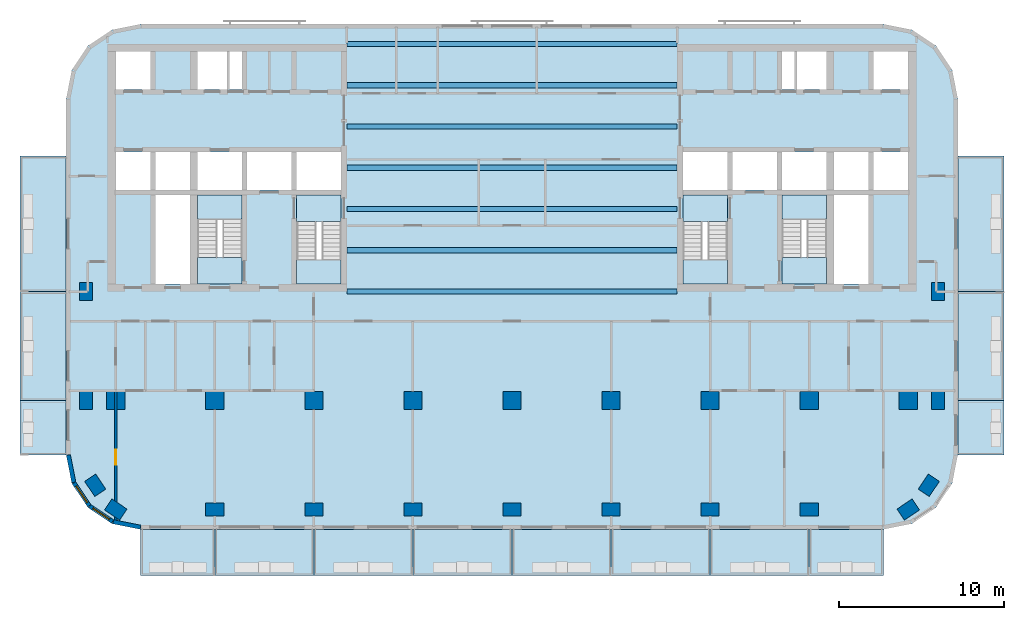
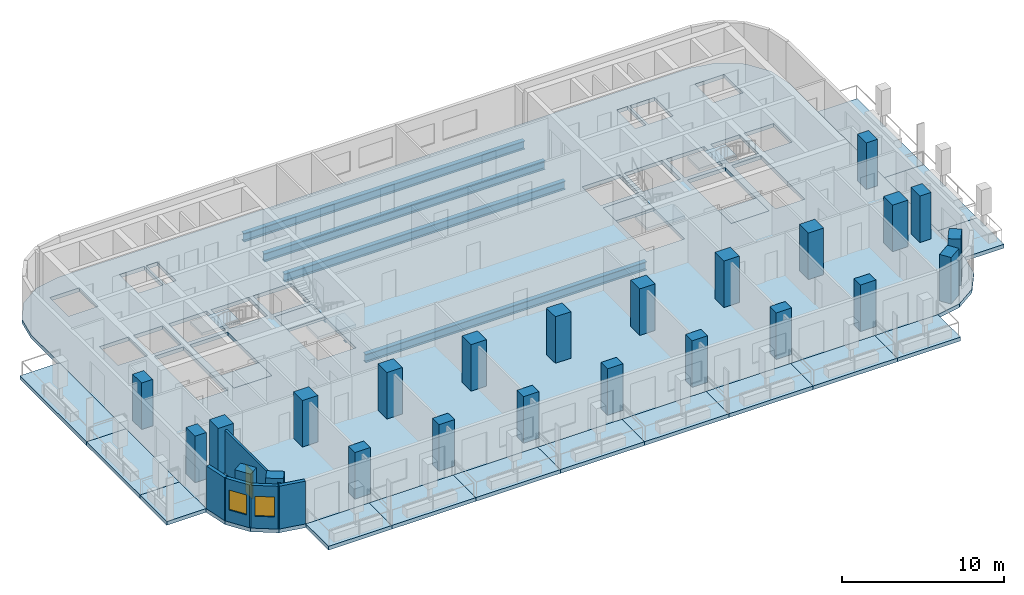
# One storey, part 1 of 11: 24 columns, 23 slabs, 7 beams, 5 walls, 2 windows, 1 door, 3 openings, 4 elements without a shape of their own.
"""IFC4 building model written with IfcOpenShell, lengths in metres."""

import ifcopenshell
import ifcopenshell.guid

model = None  # the IFC model being written
_history = None  # IfcOwnerHistory: only IFC2X3 demands one
_inside = {}  # id of a spatial element -> (the spatial element, [elements in it])
_under = {}  # id of a project, library or spatial element -> (it, [spatial elements below it])
_declared = {}  # id of a project -> (the project, [libraries it declares])
_typed = {}  # id of a type object -> (the type object, [elements of that type])
_made_of = {}  # id of a material, layer set ... -> (it, [elements and type objects made of it])


def new_model(schema):
    """Start an empty IFC model of exactly this schema.

    Asked for "IFC4X3", IfcOpenShell would pick the latest addendum, in which some entities
    have other attributes; the version numbers below select the first issue.
    IFC2X3 requires an IfcOwnerHistory on every rooted entity: one is made here for all.
    """
    global model, _history
    if schema == "IFC4X3":
        model = ifcopenshell.file(schema_version=(4, 3, 0, 0))
    else:
        model = ifcopenshell.file(schema=schema)
    _inside.clear()
    _under.clear()
    _declared.clear()
    _typed.clear()
    _made_of.clear()
    _history = None
    if model.schema == "IFC2X3":
        org = make("IfcOrganization", Name="unknown")
        user = make(
            "IfcPersonAndOrganization",
            ThePerson=make("IfcPerson", FamilyName="unknown"),
            TheOrganization=org,
        )
        app = make(
            "IfcApplication",
            ApplicationDeveloper=org,
            Version="unknown",
            ApplicationFullName="unknown",
            ApplicationIdentifier="unknown",
        )
        _history = make(
            "IfcOwnerHistory",
            OwningUser=user,
            OwningApplication=app,
            ChangeAction="ADDED",
            CreationDate=0,
        )
    return model


def make(cls, **values):
    """One entity of the class cls with the attributes given. An attribute that is None is left unset."""
    return model.create_entity(
        cls, **{name: value for name, value in values.items() if value is not None}
    )


def rooted(cls, **values):
    """An entity with a GlobalId (a new one), such as an element, a storey or a relation."""
    return make(cls, GlobalId=ifcopenshell.guid.new(), OwnerHistory=_history, **values)


def si_unit(unit_type, name, prefix=None):
    """IfcSIUnit, for example si_unit("LENGTHUNIT", "METRE", prefix="MILLI")."""
    return make("IfcSIUnit", UnitType=unit_type, Prefix=prefix, Name=name)


def assignment(units):
    """IfcUnitAssignment: the units of a project."""
    return None if units is None else make("IfcUnitAssignment", Units=units)


def point(xyz):
    """IfcCartesianPoint."""
    return None if xyz is None else make("IfcCartesianPoint", Coordinates=xyz)


def direction(xyz):
    """IfcDirection."""
    return None if xyz is None else make("IfcDirection", DirectionRatios=xyz)


def frame(location, z_axis=None, x_axis=None):
    """IfcAxis2Placement3D, a coordinate frame: its origin and axes. An axis left out is left unset."""
    return make(
        "IfcAxis2Placement3D",
        Location=point(location),
        Axis=direction(z_axis),
        RefDirection=direction(x_axis),
    )


def frame_2d(location, x_axis=None):
    """IfcAxis2Placement2D, a coordinate frame in the plane: its origin and x axis."""
    return make(
        "IfcAxis2Placement2D", Location=point(location), RefDirection=direction(x_axis)
    )


def origin():
    """The frame at (0, 0, 0) with its axes left unset."""
    return frame((0.0, 0.0, 0.0))


def origin_2d():
    """The frame at (0, 0) in the plane with its x axis left unset."""
    return frame_2d((0.0, 0.0))


def place(relative_to, where):
    """IfcLocalPlacement: puts the frame where relative to a parent placement (None: the world)."""
    return make(
        "IfcLocalPlacement", PlacementRelTo=relative_to, RelativePlacement=where
    )


def context(
    kind, dimensions, precision=None, world=None, true_north=None, identifier=None
):
    """IfcGeometricRepresentationContext, for example the 3D "Model" context."""
    return make(
        "IfcGeometricRepresentationContext",
        ContextIdentifier=identifier,
        ContextType=kind,
        CoordinateSpaceDimension=dimensions,
        Precision=precision,
        WorldCoordinateSystem=world,
        TrueNorth=true_north,
    )


def subcontext(parent, identifier, kind, view, scale=None):
    """IfcGeometricRepresentationSubContext, for example "Body" below "Model"."""
    return make(
        "IfcGeometricRepresentationSubContext",
        ContextIdentifier=identifier,
        ContextType=kind,
        ParentContext=parent,
        TargetScale=scale,
        TargetView=view,
    )


def project(units=None, contexts=None):
    """IfcProject with its units and contexts."""
    return rooted(
        "IfcProject",
        Name="project",
        RepresentationContexts=contexts,
        UnitsInContext=assignment(units),
    )


def spatial(cls, under=None, at=None, **own):
    """A site, building, storey or space (cls), placed at a placement, below another one or the project."""
    s = rooted(cls, ObjectPlacement=at, **own)
    if under is not None:
        _under.setdefault(under.id(), (under, []))[1].append(s)
    return s


def polyline(points):
    """IfcPolyline through the points."""
    return make("IfcPolyline", Points=[point(p) for p in points])


def profile(cls, at=None, kind="AREA", **sizes):
    """A parametric profile (cls). Its sizes go by their IFC names, for example OverallWidth=200.0."""
    return make(cls, ProfileType=kind, Position=at, **sizes)


def rectangle(**sizes):
    """IfcRectangleProfileDef."""
    return profile("IfcRectangleProfileDef", **sizes)


def i_section(**sizes):
    """IfcIShapeProfileDef."""
    return profile("IfcIShapeProfileDef", **sizes)


def outline(outer, holes=None, kind="AREA"):
    """IfcArbitraryClosedProfileDef: a profile drawn as a closed curve; with holes, ...WithVoids."""
    if holes is None:
        return make("IfcArbitraryClosedProfileDef", ProfileType=kind, OuterCurve=outer)
    return make(
        "IfcArbitraryProfileDefWithVoids",
        ProfileType=kind,
        OuterCurve=outer,
        InnerCurves=holes,
    )


def extrude(swept, where, along, depth):
    """IfcExtrudedAreaSolid: the profile swept, set in the frame where, extruded along a direction by depth."""
    return make(
        "IfcExtrudedAreaSolid",
        SweptArea=swept,
        Position=where,
        ExtrudedDirection=direction(along),
        Depth=depth,
    )


def shape(context_of_items, identifier, shape_type, items):
    """IfcShapeRepresentation: the items that make up one representation, for example the "Body"."""
    return make(
        "IfcShapeRepresentation",
        ContextOfItems=context_of_items,
        RepresentationIdentifier=identifier,
        RepresentationType=shape_type,
        Items=items,
    )


def material(Name=None, Category=None):
    """IfcMaterial."""
    return make("IfcMaterial", Name=Name, Category=Category)


def layer(
    of_material, thickness, ventilated=None, Name=None, Category=None, Priority=None
):
    """IfcMaterialLayer: one layer of a wall or slab, of a material (None: an air gap)."""
    return make(
        "IfcMaterialLayer",
        Material=of_material,
        LayerThickness=thickness,
        IsVentilated=ventilated,
        Name=Name,
        Category=Category,
        Priority=Priority,
    )


def layer_set(layers, Name=None):
    """IfcMaterialLayerSet."""
    return make("IfcMaterialLayerSet", MaterialLayers=layers, LayerSetName=Name)


def material_profile(
    of_material, cross_section, Name=None, Category=None, Priority=None
):
    """IfcMaterialProfile: a cross section and its material."""
    return make(
        "IfcMaterialProfile",
        Name=Name,
        Material=of_material,
        Profile=cross_section,
        Priority=Priority,
        Category=Category,
    )


def profile_set(profiles, Name=None, composite=None):
    """IfcMaterialProfileSet."""
    return make(
        "IfcMaterialProfileSet",
        Name=Name,
        MaterialProfiles=profiles,
        CompositeProfile=composite,
    )


def made_of(thing, what):
    """Note that an element or type object is made of a material, layer set ...; save() writes the relation."""
    if what is not None:
        _made_of.setdefault(what.id(), (what, []))[1].append(thing)
    return thing


def type_object(cls, material=None, **own):
    """A type object (cls), such as IfcWallType, which elements share."""
    return made_of(rooted(cls, **own), material)


def element(
    cls,
    number,
    at=None,
    inside=None,
    cuts=None,
    type_object=None,
    material=None,
    context=None,
    identifier="Body",
    shape_type=None,
    held_by="IfcProductDefinitionShape",
    body=None,
    shapes=None,
    **own,
):
    """One element of the class cls, such as IfcWall. Its Tag is "e" and its number.

    at: its placement. inside: the storey or other place that contains it. cuts: it is an
    opening in that element (IfcRelVoidsElement). A single representation is given by context,
    identifier, shape_type and body (its items); several are given by shapes. held_by: the class
    of the entity that holds the representations. save() writes the other relations.
    """
    e = rooted(cls, Tag="e%d" % number, ObjectPlacement=at, **own)
    if body is not None:
        shapes = [shape(context, identifier, shape_type, body)]
    if shapes is not None:
        e.Representation = make(held_by, Representations=shapes)
    if inside is not None:
        _inside.setdefault(inside.id(), (inside, []))[1].append(e)
    if cuts is not None:
        rooted(
            "IfcRelVoidsElement", RelatingBuildingElement=cuts, RelatedOpeningElement=e
        )
    if type_object is not None:
        _typed.setdefault(type_object.id(), (type_object, []))[1].append(e)
    return made_of(e, material)


def fill(opening, filler):
    """IfcRelFillsElement: the door or window that sits in an opening."""
    return rooted(
        "IfcRelFillsElement",
        RelatingOpeningElement=opening,
        RelatedBuildingElement=filler,
    )


def aggregate(whole, parts):
    """IfcRelAggregates: a whole, such as a stair, and the parts it consists of."""
    return rooted("IfcRelAggregates", RelatingObject=whole, RelatedObjects=parts)


def save(model, path):
    """Write the relations noted so far, then the file.

    IfcRelAggregates (storeys below a building ...), IfcRelContainedInSpatialStructure (elements
    in a storey), IfcRelDefinesByType, IfcRelAssociatesMaterial and IfcRelDeclares: one each for
    every whole, place, type object, material and project.
    """
    for whole, parts in _under.values():
        aggregate(whole, parts)
    for where, things in _inside.values():
        rooted(
            "IfcRelContainedInSpatialStructure",
            RelatedElements=things,
            RelatingStructure=where,
        )
    for kind, things in _typed.values():
        rooted("IfcRelDefinesByType", RelatedObjects=things, RelatingType=kind)
    for what, things in _made_of.values():
        rooted("IfcRelAssociatesMaterial", RelatedObjects=things, RelatingMaterial=what)
    for by, libraries in _declared.values():
        rooted("IfcRelDeclares", RelatingContext=by, RelatedDefinitions=libraries)
    model.write(path)


model = new_model("IFC4")

# Units and contexts
model_context = context("Model", 3, precision=1e-05, world=origin(), true_north=direction((0.0, 1.0)))
body_context = subcontext(model_context, "Body", "Model", "MODEL_VIEW")
ifc_project = project(units=[si_unit("LENGTHUNIT", "METRE"), si_unit("AREAUNIT", "SQUARE_METRE"), si_unit("VOLUMEUNIT", "CUBIC_METRE"), si_unit("PLANEANGLEUNIT", "RADIAN"), si_unit("MASSUNIT", "GRAM", prefix="KILO")], contexts=[model_context])

# Site, building, storey
site_placement = place(None, origin())
site = spatial("IfcSite", under=ifc_project, at=site_placement, CompositionType="ELEMENT")
building_placement = place(site_placement, origin())
building = spatial("IfcBuilding", under=site, at=building_placement, Name="Torana Hotel and Residences", CompositionType="ELEMENT")
storey_placement = place(building_placement, frame((0.0, 0.0, 215.10009765625)))
storey = spatial("IfcBuildingStorey", under=building, at=storey_placement, Name="L56", CompositionType="ELEMENT", Elevation=215.10009765625)

# Columns
ifc_material_1 = material(Name="Concrete C60/75", Category="concrete")
ifc_material_profile_1 = material_profile(ifc_material_1, rectangle(XDim=1.10009765625, YDim=1.10009765625, at=origin_2d()), Name="RC 1100x1100")
ifc_profile_set_1 = profile_set([ifc_material_profile_1], Name="Concrete C60/75")
column_type_1 = type_object("IfcColumnType", Name="COLUMN RC 1100x1100 C60/75", PredefinedType="COLUMN", material=ifc_profile_set_1)
for number, where, z_axis, x_axis, name in (
    (1, (-24.0, -21.60009765625, 0.0), (0.0, 0.0, 1.0), (1.0, 0.0, 0.0), "Column L56"),
    (2, (-18.0, -21.60009765625, 0.0), (0.0, 0.0, 1.0), (1.0, 0.0, 0.0), "Column L56"),
    (3, (-12.0, -21.60009765625, 0.0), (0.0, 0.0, 1.0), (1.0, 0.0, 0.0), "Column L56"),
    (4, (-6.0, -21.60009765625, 0.0), (0.0, 0.0, 1.0), (1.0, 0.0, 0.0), "Column L56"),
    (5, (0.0, -21.60009765625, 0.0), (0.0, 0.0, 1.0), (1.0, 0.0, 0.0), "Column L56"),
    (6, (6.0, -21.60009765625, 0.0), (0.0, 0.0, 1.0), (1.0, 0.0, 0.0), "Column L56"),
    (7, (12.0, -21.60009765625, 0.0), (0.0, 0.0, 1.0), (1.0, 0.0, 0.0), "Column L56"),
    (8, (18.0, -21.60009765625, 0.0), (0.0, 0.0, 1.0), (1.0, 0.0, 0.0), "Column L56"),
    (9, (24.0, -21.60009765625, 0.0), (0.0, 0.0, 1.0), (1.0, 0.0, 0.0), "Column L56"),
):
    element("IfcColumn", number, at=place(storey_placement, frame(where, z_axis=z_axis, x_axis=x_axis)), inside=storey, type_object=column_type_1, Name=name, PredefinedType="COLUMN", context=body_context, shape_type="SweptSolid", body=[
        extrude(rectangle(XDim=1.10009765625, YDim=1.10009765625, at=origin_2d()), origin(), (0.0, 0.0, 1.0), 3.5),
    ])
ifc_material_2 = material(Name="Concrete C60/75", Category="concrete")
ifc_material_profile_2 = material_profile(ifc_material_2, rectangle(XDim=1.10009765625, YDim=0.800048828125, at=origin_2d()), Name="RC 1100x800")
ifc_profile_set_2 = profile_set([ifc_material_profile_2], Name="Concrete C60/75")
column_type_2 = type_object("IfcColumnType", Name="COLUMN RC 1100x800 C60/75", PredefinedType="COLUMN", material=ifc_profile_set_2)
for number, where, z_axis, x_axis, name in (
    (10, (-25.800048828125, -21.60009765625, 0.0), (0.0, 0.0, 1.0), (0.0, 1.0, 0.0), "Column L56"),
    (11, (-25.800048828125, -15.0, 0.0), (0.0, 0.0, 1.0), (0.0, 1.0, 0.0), "Column L56"),
    (12, (-25.243896484375, -26.73291015625, 0.0), (0.0, 0.0, 1.0), (-0.555584744817, 0.831459915646, 0.0), "Column L56"),
    (13, (-24.0, -28.199951171875, 0.0), (0.0, 0.0, 1.0), (-0.831459915646, 0.555584744817, 0.0), "Column L56"),
    (14, (-18.0, -28.199951171875, 0.0), (0.0, 0.0, 1.0), (1.0, 0.0, 0.0), "Column L56"),
    (15, (-12.0, -28.199951171875, 0.0), (0.0, 0.0, 1.0), (1.0, 0.0, 0.0), "Column L56"),
    (16, (-6.0, -28.199951171875, 0.0), (0.0, 0.0, 1.0), (1.0, 0.0, 0.0), "Column L56"),
    (17, (0.0, -28.199951171875, 0.0), (0.0, 0.0, 1.0), (1.0, 0.0, 0.0), "Column L56"),
    (18, (6.0, -28.199951171875, 0.0), (0.0, 0.0, 1.0), (1.0, 0.0, 0.0), "Column L56"),
    (19, (12.0, -28.199951171875, 0.0), (0.0, 0.0, 1.0), (1.0, 0.0, 0.0), "Column L56"),
    (20, (18.0, -28.199951171875, 0.0), (0.0, 0.0, 1.0), (1.0, 0.0, 0.0), "Column L56"),
    (21, (24.0, -28.199951171875, 0.0), (0.0, 0.0, 1.0), (0.831459915646, 0.555584744817, 0.0), "Column L56"),
    (22, (25.243896484375, -26.73291015625, 0.0), (0.0, 0.0, 1.0), (0.555584744817, 0.831459915646, 0.0), "Column L56"),
    (23, (25.800048828125, -21.60009765625, 0.0), (0.0, 0.0, 1.0), (0.0, 1.0, 0.0), "Column L56"),
    (24, (25.800048828125, -15.0, 0.0), (0.0, 0.0, 1.0), (0.0, 1.0, 0.0), "Column L56"),
):
    element("IfcColumn", number, at=place(storey_placement, frame(where, z_axis=z_axis, x_axis=x_axis)), inside=storey, type_object=column_type_2, Name=name, PredefinedType="COLUMN", context=body_context, shape_type="SweptSolid", body=[
        extrude(rectangle(XDim=1.10009765625, YDim=0.800048828125, at=origin_2d()), origin(), (0.0, 0.0, 1.0), 3.5),
    ])

# Beams
ifc_material_3 = material(Name="Steel S355", Category="steel")
ifc_material_profile_3 = material_profile(ifc_material_3, i_section(OverallWidth=0.311279296875, OverallDepth=0.6357421875, WebThickness=0.018310546875, FlangeThickness=0.031494140625, FilletRadius=0.0166015625, at=origin_2d()), Name="610x305x238 UB")
ifc_profile_set_3 = profile_set([ifc_material_profile_3], Name="Steel S355")
beam_type = type_object("IfcBeamType", Name="STEEL GIRDER 610x305x238 UB", PredefinedType="BEAM", material=ifc_profile_set_3)
for number, where, z_axis, x_axis, name in (
    (25, (-10.0, -15.0, -0.597900390625), (1.0, 0.0, 0.0), (0.0, 1.0, 0.0), "Floor girder"),
    (26, (-10.0, -12.5, -0.597900390625), (1.0, 0.0, 0.0), (0.0, 1.0, 0.0), "Floor girder"),
    (27, (-10.0, -10.0, -0.597900390625), (1.0, 0.0, 0.0), (0.0, 1.0, 0.0), "Floor girder"),
    (28, (-10.0, -7.5, -0.597900390625), (1.0, 0.0, 0.0), (0.0, 1.0, 0.0), "Floor girder"),
    (29, (-10.0, -5.0, -0.597900390625), (1.0, 0.0, 0.0), (0.0, 1.0, 0.0), "Floor girder"),
    (30, (-10.0, -2.5, -0.597900390625), (1.0, 0.0, 0.0), (0.0, 1.0, 0.0), "Floor girder"),
    (31, (-10.0, 0.0, -0.597900390625), (1.0, 0.0, 0.0), (0.0, 1.0, 0.0), "Floor girder"),
):
    element("IfcBeam", number, at=place(storey_placement, frame(where, z_axis=z_axis, x_axis=x_axis)), inside=storey, type_object=beam_type, Name=name, PredefinedType="BEAM", context=body_context, shape_type="SweptSolid", body=[
        extrude(i_section(OverallWidth=0.311279296875, OverallDepth=0.6357421875, WebThickness=0.018310546875, FlangeThickness=0.031494140625, FilletRadius=0.0166015625, at=origin_2d()), origin(), (0.0, 0.0, 1.0), 20.0),
    ])

# Slabs
ifc_material_4 = material(Name="Concrete C40/50", Category="concrete")
ifc_layer_1 = layer(ifc_material_4, 0.280029296875)
ifc_layer_set_1 = layer_set([ifc_layer_1], Name="BAL1 BALCONY SLAB 280")
slab_type_1 = type_object("IfcSlabType", Name="BAL1 BALCONY SLAB 280", PredefinedType="USERDEFINED", material=ifc_layer_set_1)
slab_1_placement = place(storey_placement, frame((0.0, 0.0, -0.280029296875)))
element("IfcSlab", 32, at=slab_1_placement, inside=storey, type_object=slab_type_1, Name="Balcony 01", ObjectType="BALCONY", PredefinedType="USERDEFINED", context=body_context, shape_type="SweptSolid", body=[
    extrude(outline(polyline([(-22.5, -32.199951171875), (-18.0, -32.199951171875), (-18.0, -29.39990234375), (-22.5, -29.39990234375), (-22.5, -32.199951171875)])), origin(), (0.0, 0.0, 1.0), 0.280029296875),
])
slab_2_placement = place(storey_placement, frame((0.0, 0.0, -0.280029296875)))
element("IfcSlab", 33, at=slab_2_placement, inside=storey, type_object=slab_type_1, Name="Balcony 02", ObjectType="BALCONY", PredefinedType="USERDEFINED", context=body_context, shape_type="SweptSolid", body=[
    extrude(outline(polyline([(-18.0, -32.199951171875), (-12.0, -32.199951171875), (-12.0, -29.39990234375), (-18.0, -29.39990234375), (-18.0, -32.199951171875)])), origin(), (0.0, 0.0, 1.0), 0.280029296875),
])
slab_3_placement = place(storey_placement, frame((0.0, 0.0, -0.280029296875)))
element("IfcSlab", 34, at=slab_3_placement, inside=storey, type_object=slab_type_1, Name="Balcony 03", ObjectType="BALCONY", PredefinedType="USERDEFINED", context=body_context, shape_type="SweptSolid", body=[
    extrude(outline(polyline([(-12.0, -32.199951171875), (-6.0, -32.199951171875), (-6.0, -29.39990234375), (-12.0, -29.39990234375), (-12.0, -32.199951171875)])), origin(), (0.0, 0.0, 1.0), 0.280029296875),
])
slab_4_placement = place(storey_placement, frame((0.0, 0.0, -0.280029296875)))
element("IfcSlab", 35, at=slab_4_placement, inside=storey, type_object=slab_type_1, Name="Balcony 04", ObjectType="BALCONY", PredefinedType="USERDEFINED", context=body_context, shape_type="SweptSolid", body=[
    extrude(outline(polyline([(-6.0, -32.199951171875), (0.0, -32.199951171875), (0.0, -29.39990234375), (-6.0, -29.39990234375), (-6.0, -32.199951171875)])), origin(), (0.0, 0.0, 1.0), 0.280029296875),
])
slab_5_placement = place(storey_placement, frame((0.0, 0.0, -0.280029296875)))
element("IfcSlab", 36, at=slab_5_placement, inside=storey, type_object=slab_type_1, Name="Balcony 05", ObjectType="BALCONY", PredefinedType="USERDEFINED", context=body_context, shape_type="SweptSolid", body=[
    extrude(outline(polyline([(0.0, -32.199951171875), (6.0, -32.199951171875), (6.0, -29.39990234375), (0.0, -29.39990234375), (0.0, -32.199951171875)])), origin(), (0.0, 0.0, 1.0), 0.280029296875),
])
slab_6_placement = place(storey_placement, frame((0.0, 0.0, -0.280029296875)))
element("IfcSlab", 37, at=slab_6_placement, inside=storey, type_object=slab_type_1, Name="Balcony 06", ObjectType="BALCONY", PredefinedType="USERDEFINED", context=body_context, shape_type="SweptSolid", body=[
    extrude(outline(polyline([(6.0, -32.199951171875), (12.0, -32.199951171875), (12.0, -29.39990234375), (6.0, -29.39990234375), (6.0, -32.199951171875)])), origin(), (0.0, 0.0, 1.0), 0.280029296875),
])
slab_7_placement = place(storey_placement, frame((0.0, 0.0, -0.280029296875)))
element("IfcSlab", 38, at=slab_7_placement, inside=storey, type_object=slab_type_1, Name="Balcony 07", ObjectType="BALCONY", PredefinedType="USERDEFINED", context=body_context, shape_type="SweptSolid", body=[
    extrude(outline(polyline([(12.0, -32.199951171875), (18.0, -32.199951171875), (18.0, -29.39990234375), (12.0, -29.39990234375), (12.0, -32.199951171875)])), origin(), (0.0, 0.0, 1.0), 0.280029296875),
])
slab_8_placement = place(storey_placement, frame((0.0, 0.0, -0.280029296875)))
element("IfcSlab", 39, at=slab_8_placement, inside=storey, type_object=slab_type_1, Name="Balcony 08", ObjectType="BALCONY", PredefinedType="USERDEFINED", context=body_context, shape_type="SweptSolid", body=[
    extrude(outline(polyline([(18.0, -32.199951171875), (22.5, -32.199951171875), (22.5, -29.39990234375), (18.0, -29.39990234375), (18.0, -32.199951171875)])), origin(), (0.0, 0.0, 1.0), 0.280029296875),
])
slab_9_placement = place(storey_placement, frame((0.0, 0.0, -0.280029296875)))
element("IfcSlab", 40, at=slab_9_placement, inside=storey, type_object=slab_type_1, Name="Balcony 09", ObjectType="BALCONY", PredefinedType="USERDEFINED", context=body_context, shape_type="SweptSolid", body=[
    extrude(outline(polyline([(-29.800048828125, -24.89990234375), (-27.0, -24.89990234375), (-27.0, -21.60009765625), (-29.800048828125, -21.60009765625), (-29.800048828125, -24.89990234375)])), origin(), (0.0, 0.0, 1.0), 0.280029296875),
])
slab_10_placement = place(storey_placement, frame((0.0, 0.0, -0.280029296875)))
element("IfcSlab", 41, at=slab_10_placement, inside=storey, type_object=slab_type_1, Name="Balcony 10", ObjectType="BALCONY", PredefinedType="USERDEFINED", context=body_context, shape_type="SweptSolid", body=[
    extrude(outline(polyline([(-29.800048828125, -21.60009765625), (-27.0, -21.60009765625), (-27.0, -15.0), (-29.800048828125, -15.0), (-29.800048828125, -21.60009765625)])), origin(), (0.0, 0.0, 1.0), 0.280029296875),
])
slab_11_placement = place(storey_placement, frame((0.0, 0.0, -0.280029296875)))
element("IfcSlab", 42, at=slab_11_placement, inside=storey, type_object=slab_type_1, Name="Balcony 11", ObjectType="BALCONY", PredefinedType="USERDEFINED", context=body_context, shape_type="SweptSolid", body=[
    extrude(outline(polyline([(-29.800048828125, -15.0), (-27.0, -15.0), (-27.0, -6.800048828125), (-29.800048828125, -6.800048828125), (-29.800048828125, -15.0)])), origin(), (0.0, 0.0, 1.0), 0.280029296875),
])
slab_12_placement = place(storey_placement, frame((0.0, 0.0, -0.280029296875)))
element("IfcSlab", 43, at=slab_12_placement, inside=storey, type_object=slab_type_1, Name="Balcony 12", ObjectType="BALCONY", PredefinedType="USERDEFINED", context=body_context, shape_type="SweptSolid", body=[
    extrude(outline(polyline([(27.0, -24.89990234375), (29.800048828125, -24.89990234375), (29.800048828125, -21.60009765625), (27.0, -21.60009765625), (27.0, -24.89990234375)])), origin(), (0.0, 0.0, 1.0), 0.280029296875),
])
slab_13_placement = place(storey_placement, frame((0.0, 0.0, -0.280029296875)))
element("IfcSlab", 44, at=slab_13_placement, inside=storey, type_object=slab_type_1, Name="Balcony 13", ObjectType="BALCONY", PredefinedType="USERDEFINED", context=body_context, shape_type="SweptSolid", body=[
    extrude(outline(polyline([(27.0, -21.60009765625), (29.800048828125, -21.60009765625), (29.800048828125, -15.0), (27.0, -15.0), (27.0, -21.60009765625)])), origin(), (0.0, 0.0, 1.0), 0.280029296875),
])
slab_14_placement = place(storey_placement, frame((0.0, 0.0, -0.280029296875)))
element("IfcSlab", 45, at=slab_14_placement, inside=storey, type_object=slab_type_1, Name="Balcony 14", ObjectType="BALCONY", PredefinedType="USERDEFINED", context=body_context, shape_type="SweptSolid", body=[
    extrude(outline(polyline([(27.0, -15.0), (29.800048828125, -15.0), (29.800048828125, -6.800048828125), (27.0, -6.800048828125), (27.0, -15.0)])), origin(), (0.0, 0.0, 1.0), 0.280029296875),
])
ifc_material_5 = material(Name="Concrete C40/50", Category="concrete")
ifc_layer_2 = layer(ifc_material_5, 0.280029296875)
ifc_layer_set_2 = layer_set([ifc_layer_2], Name="FLOOR SLAB PT 280")
slab_type_2 = type_object("IfcSlabType", Name="FLOOR SLAB PT 280", PredefinedType="FLOOR", material=ifc_layer_set_2)
slab_15_placement = place(storey_placement, frame((0.0, 0.0, -0.280029296875)))
element("IfcSlab", 46, at=slab_15_placement, inside=storey, type_object=slab_type_2, Name="Floor slab", PredefinedType="FLOOR", context=body_context, shape_type="SweptSolid", body=[
    extrude(outline(polyline([(27.0, -3.300048828125), (26.657470703125, -1.577880859375), (25.681884765625, -0.117919921875), (24.22216796875, 0.857421875), (22.5, 1.199951171875), (-22.5, 1.199951171875), (-24.22216796875, 0.857421875), (-25.681884765625, -0.117919921875), (-26.657470703125, -1.577880859375), (-27.0, -3.300048828125), (-27.0, -24.89990234375), (-26.657470703125, -26.6220703125), (-25.681884765625, -28.08203125), (-24.22216796875, -29.0576171875), (-22.5, -29.39990234375), (22.5, -29.39990234375), (24.22216796875, -29.0576171875), (25.681884765625, -28.08203125), (26.657470703125, -26.6220703125), (27.0, -24.89990234375), (27.0, -3.300048828125)]), holes=[polyline([(-13.050048828125, -14.550048828125), (-10.35009765625, -14.550048828125), (-10.35009765625, -9.14990234375), (-13.050048828125, -9.14990234375), (-13.050048828125, -14.550048828125)]), polyline([(-19.050048828125, -14.550048828125), (-16.35009765625, -14.550048828125), (-16.35009765625, -9.14990234375), (-19.050048828125, -9.14990234375), (-19.050048828125, -14.550048828125)]), polyline([(-17.125, -2.75), (-16.35009765625, -2.75), (-16.35009765625, -0.449951171875), (-17.125, -0.449951171875), (-17.125, -2.75)]), polyline([(-19.050048828125, -2.75), (-17.27490234375, -2.75), (-17.27490234375, -0.449951171875), (-19.050048828125, -0.449951171875), (-19.050048828125, -2.75)]), polyline([(-21.60009765625, -8.85009765625), (-19.5, -8.85009765625), (-19.5, -6.550048828125), (-21.60009765625, -6.550048828125), (-21.60009765625, -8.85009765625)]), polyline([(-24.0, -2.75), (-21.89990234375, -2.75), (-21.89990234375, -0.449951171875), (-24.0, -0.449951171875), (-24.0, -2.75)]), polyline([(-24.0, -8.85009765625), (-21.89990234375, -8.85009765625), (-21.89990234375, -6.550048828125), (-24.0, -6.550048828125), (-24.0, -8.85009765625)]), polyline([(-13.050048828125, -8.85009765625), (-10.35009765625, -8.85009765625), (-10.35009765625, -6.550048828125), (-13.050048828125, -6.550048828125), (-13.050048828125, -8.85009765625)]), polyline([(-16.050048828125, -8.85009765625), (-13.35009765625, -8.85009765625), (-13.35009765625, -6.550048828125), (-16.050048828125, -6.550048828125), (-16.050048828125, -8.85009765625)]), polyline([(-19.050048828125, -8.85009765625), (-16.35009765625, -8.85009765625), (-16.35009765625, -6.550048828125), (-19.050048828125, -6.550048828125), (-19.050048828125, -8.85009765625)]), polyline([(-21.60009765625, -14.550048828125), (-19.5, -14.550048828125), (-19.5, -9.14990234375), (-21.60009765625, -9.14990234375), (-21.60009765625, -14.550048828125)]), polyline([(10.35009765625, -14.550048828125), (13.050048828125, -14.550048828125), (13.050048828125, -9.14990234375), (10.35009765625, -9.14990234375), (10.35009765625, -14.550048828125)]), polyline([(16.35009765625, -14.550048828125), (19.050048828125, -14.550048828125), (19.050048828125, -9.14990234375), (16.35009765625, -9.14990234375), (16.35009765625, -14.550048828125)]), polyline([(16.35009765625, -2.75), (17.125, -2.75), (17.125, -0.449951171875), (16.35009765625, -0.449951171875), (16.35009765625, -2.75)]), polyline([(17.27490234375, -2.75), (19.050048828125, -2.75), (19.050048828125, -0.449951171875), (17.27490234375, -0.449951171875), (17.27490234375, -2.75)]), polyline([(19.5, -8.85009765625), (21.60009765625, -8.85009765625), (21.60009765625, -6.550048828125), (19.5, -6.550048828125), (19.5, -8.85009765625)]), polyline([(21.89990234375, -2.75), (24.0, -2.75), (24.0, -0.449951171875), (21.89990234375, -0.449951171875), (21.89990234375, -2.75)]), polyline([(21.89990234375, -8.85009765625), (24.0, -8.85009765625), (24.0, -6.550048828125), (21.89990234375, -6.550048828125), (21.89990234375, -8.85009765625)]), polyline([(10.35009765625, -8.85009765625), (13.050048828125, -8.85009765625), (13.050048828125, -6.550048828125), (10.35009765625, -6.550048828125), (10.35009765625, -8.85009765625)]), polyline([(13.35009765625, -8.85009765625), (16.050048828125, -8.85009765625), (16.050048828125, -6.550048828125), (13.35009765625, -6.550048828125), (13.35009765625, -8.85009765625)]), polyline([(16.35009765625, -8.85009765625), (19.050048828125, -8.85009765625), (19.050048828125, -6.550048828125), (16.35009765625, -6.550048828125), (16.35009765625, -8.85009765625)]), polyline([(19.5, -14.550048828125), (21.60009765625, -14.550048828125), (21.60009765625, -9.14990234375), (19.5, -9.14990234375), (19.5, -14.550048828125)])]), origin(), (0.0, 0.0, 1.0), 0.280029296875),
])

# Stair, slabs
ifc_material_6 = material(Name="Concrete C40/50 precast", Category="concrete")
stair_type_1 = type_object("IfcStairType", Name="STAIR ST1 HALF TURN 1200", PredefinedType="HALF_TURN_STAIR", material=ifc_material_6)
stair_1_placement = place(storey_placement, origin())
stair_1 = element("IfcStair", 47, at=stair_1_placement, inside=storey, type_object=stair_type_1, Name="Stair ST1 L56", PredefinedType="HALF_TURN_STAIR")
ifc_material_7 = material(Name="Concrete C40/50 precast", Category="concrete")
ifc_layer_3 = layer(ifc_material_7, 0.199951171875)
ifc_layer_set_3 = layer_set([ifc_layer_3], Name="STAIR LANDING 200")
slab_type_3 = type_object("IfcSlabType", Name="STAIR LANDING 200", PredefinedType="LANDING", material=ifc_layer_set_3)
slab_16_placement = place(storey_placement, frame((0.0, 0.0, 1.5498046875)))
slab_16 = element("IfcSlab", 48, at=slab_16_placement, type_object=slab_type_3, Name="ST1 landing 1", PredefinedType="LANDING", context=body_context, shape_type="SweptSolid", body=[
    extrude(outline(polyline([(-13.050048828125, -14.550048828125), (-10.35009765625, -14.550048828125), (-10.35009765625, -13.090087890625), (-13.050048828125, -13.090087890625), (-13.050048828125, -14.550048828125)])), origin(), (0.0, 0.0, 1.0), 0.2001953125),
])
slab_17_placement = place(storey_placement, frame((0.0, 0.0, -0.2001953125)))
slab_17 = element("IfcSlab", 49, at=slab_17_placement, type_object=slab_type_3, Name="ST1 landing 2", PredefinedType="LANDING", context=body_context, shape_type="SweptSolid", body=[
    extrude(outline(polyline([(-13.050048828125, -10.75), (-10.35009765625, -10.75), (-10.35009765625, -9.14990234375), (-13.050048828125, -9.14990234375), (-13.050048828125, -10.75)])), origin(), (0.0, 0.0, 1.0), 0.2001953125),
])
aggregate(stair_1, [slab_16, slab_17])

ifc_material_8 = material(Name="Concrete C40/50 precast", Category="concrete")
stair_type_2 = type_object("IfcStairType", Name="STAIR ST2 HALF TURN 1200", PredefinedType="HALF_TURN_STAIR", material=ifc_material_8)
stair_2_placement = place(storey_placement, origin())
stair_2 = element("IfcStair", 50, at=stair_2_placement, inside=storey, type_object=stair_type_2, Name="Stair ST2 L56", PredefinedType="HALF_TURN_STAIR")
slab_18_placement = place(storey_placement, frame((0.0, 0.0, 1.5498046875)))
slab_18 = element("IfcSlab", 51, at=slab_18_placement, type_object=slab_type_3, Name="ST2 landing 1", PredefinedType="LANDING", context=body_context, shape_type="SweptSolid", body=[
    extrude(outline(polyline([(-19.050048828125, -10.610107421875), (-16.35009765625, -10.610107421875), (-16.35009765625, -9.14990234375), (-19.050048828125, -9.14990234375), (-19.050048828125, -10.610107421875)])), origin(), (0.0, 0.0, 1.0), 0.2001953125),
])
slab_19_placement = place(storey_placement, frame((0.0, 0.0, -0.2001953125)))
slab_19 = element("IfcSlab", 52, at=slab_19_placement, type_object=slab_type_3, Name="ST2 landing 2", PredefinedType="LANDING", context=body_context, shape_type="SweptSolid", body=[
    extrude(outline(polyline([(-19.050048828125, -14.550048828125), (-16.35009765625, -14.550048828125), (-16.35009765625, -12.949951171875), (-19.050048828125, -12.949951171875), (-19.050048828125, -14.550048828125)])), origin(), (0.0, 0.0, 1.0), 0.2001953125),
])
aggregate(stair_2, [slab_18, slab_19])

ifc_material_9 = material(Name="Concrete C40/50 precast", Category="concrete")
stair_type_3 = type_object("IfcStairType", Name="STAIR ST3 HALF TURN 1200", PredefinedType="HALF_TURN_STAIR", material=ifc_material_9)
stair_3_placement = place(storey_placement, origin())
stair_3 = element("IfcStair", 53, at=stair_3_placement, inside=storey, type_object=stair_type_3, Name="Stair ST3 L56", PredefinedType="HALF_TURN_STAIR")
slab_20_placement = place(storey_placement, frame((0.0, 0.0, 1.5498046875)))
slab_20 = element("IfcSlab", 54, at=slab_20_placement, type_object=slab_type_3, Name="ST3 landing 1", PredefinedType="LANDING", context=body_context, shape_type="SweptSolid", body=[
    extrude(outline(polyline([(10.35009765625, -14.550048828125), (13.050048828125, -14.550048828125), (13.050048828125, -13.090087890625), (10.35009765625, -13.090087890625), (10.35009765625, -14.550048828125)])), origin(), (0.0, 0.0, 1.0), 0.2001953125),
])
slab_21_placement = place(storey_placement, frame((0.0, 0.0, -0.2001953125)))
slab_21 = element("IfcSlab", 55, at=slab_21_placement, type_object=slab_type_3, Name="ST3 landing 2", PredefinedType="LANDING", context=body_context, shape_type="SweptSolid", body=[
    extrude(outline(polyline([(10.35009765625, -10.75), (13.050048828125, -10.75), (13.050048828125, -9.14990234375), (10.35009765625, -9.14990234375), (10.35009765625, -10.75)])), origin(), (0.0, 0.0, 1.0), 0.2001953125),
])
aggregate(stair_3, [slab_20, slab_21])

ifc_material_10 = material(Name="Concrete C40/50 precast", Category="concrete")
stair_type_4 = type_object("IfcStairType", Name="STAIR ST4 HALF TURN 1200", PredefinedType="HALF_TURN_STAIR", material=ifc_material_10)
stair_4_placement = place(storey_placement, origin())
stair_4 = element("IfcStair", 56, at=stair_4_placement, inside=storey, type_object=stair_type_4, Name="Stair ST4 L56", PredefinedType="HALF_TURN_STAIR")
slab_22_placement = place(storey_placement, frame((0.0, 0.0, 1.5498046875)))
slab_22 = element("IfcSlab", 57, at=slab_22_placement, type_object=slab_type_3, Name="ST4 landing 1", PredefinedType="LANDING", context=body_context, shape_type="SweptSolid", body=[
    extrude(outline(polyline([(16.35009765625, -10.610107421875), (19.050048828125, -10.610107421875), (19.050048828125, -9.14990234375), (16.35009765625, -9.14990234375), (16.35009765625, -10.610107421875)])), origin(), (0.0, 0.0, 1.0), 0.2001953125),
])
slab_23_placement = place(storey_placement, frame((0.0, 0.0, -0.2001953125)))
slab_23 = element("IfcSlab", 58, at=slab_23_placement, type_object=slab_type_3, Name="ST4 landing 2", PredefinedType="LANDING", context=body_context, shape_type="SweptSolid", body=[
    extrude(outline(polyline([(16.35009765625, -14.550048828125), (19.050048828125, -14.550048828125), (19.050048828125, -12.949951171875), (16.35009765625, -12.949951171875), (16.35009765625, -14.550048828125)])), origin(), (0.0, 0.0, 1.0), 0.2001953125),
])
aggregate(stair_4, [slab_22, slab_23])

# Wall
ifc_material_11 = material(Name="Black aluminium composite panel", Category="aluminium")
ifc_layer_4 = layer(ifc_material_11, 0.00390625, Name="Cladding", Category="cladding")
ifc_material_12 = material(Name="Ventilated air cavity")
ifc_layer_5 = layer(ifc_material_12, 0.0400390625, Name="Ventilated cavity", Category="cavity")
ifc_material_13 = material(Name="Mineral wool insulation")
ifc_layer_6 = layer(ifc_material_13, 0.090087890625, Name="Insulation", Category="insulation")
ifc_material_14 = material(Name="Steel S280GD", Category="steel")
ifc_layer_7 = layer(ifc_material_14, 0.092041015625, Name="Steel stud frame", Category="structure")
ifc_material_15 = material(Name="Fire rated plasterboard")
ifc_layer_8 = layer(ifc_material_15, 0.011962890625, Name="Inner board", Category="finish")
ifc_layer_9 = layer(ifc_material_15, 0.011962890625, Name="Second board", Category="finish")
ifc_layer_set_4 = layer_set([ifc_layer_4, ifc_layer_5, ifc_layer_6, ifc_layer_7, ifc_layer_8, ifc_layer_9], Name="EW1 EXTERNAL WALL BLACK METAL CLAD 250")
wall_type_1 = type_object("IfcWallType", Name="EW1 EXTERNAL WALL BLACK METAL CLAD 250", PredefinedType="SOLIDWALL", material=ifc_layer_set_4)
wall_1_placement = place(storey_placement, frame((-26.87255859375, -24.89990234375, 0.0), z_axis=(0.0, 0.0, 1.0), x_axis=(0.195026884138, -0.980797896849, 0.0)))
element("IfcWall", 59, at=wall_1_placement, inside=storey, type_object=wall_type_1, Name="External wall L56 e0.10", PredefinedType="SOLIDWALL", context=body_context, shape_type="SweptSolid", body=[
    extrude(rectangle(XDim=1.68115234375, YDim=0.25, at=frame_2d((0.840576171875, 0.0))), origin(), (0.0, 0.0, 1.0), 3.219970703125),
])

# Wall, opening, window
wall_2_placement = place(storey_placement, frame((-26.52587890625, -26.593994140625, 0.0), z_axis=(0.0, 0.0, 1.0), x_axis=(0.55555029066, -0.831482937015, 0.0)))
wall_2 = element("IfcWall", 60, at=wall_2_placement, inside=storey, type_object=wall_type_1, Name="External wall L56 e0.11", PredefinedType="SOLIDWALL", context=body_context, shape_type="SweptSolid", body=[
    extrude(rectangle(XDim=1.65625, YDim=0.25, at=frame_2d((0.828125, 0.0))), origin(), (0.0, 0.0, 1.0), 3.219970703125),
])
opening_1_placement = place(wall_2_placement, frame((0.228271484375, 0.0, 0.89990234375)))
opening_1 = element("IfcOpeningElement", 61, at=opening_1_placement, cuts=wall_2, Name="Opening W5", PredefinedType="OPENING", context=body_context, shape_type="SweptSolid", body=[
    extrude(rectangle(XDim=1.199951171875, YDim=1.5, at=frame_2d((0.60009765625, 0.75))), frame((0.0, 0.135009765625, 0.0), z_axis=(0.0, -1.0, 0.0), x_axis=(1.0, 0.0, 0.0)), (0.0, 0.0, 1.0), 0.27001953125),
])
ifc_material_16 = material(Name="Dark glass in black aluminium frame", Category="aluminium")
window_type = type_object("IfcWindowType", Name="W5 CORNER FACET WINDOW 1200x1500", PartitioningType="SINGLE_PANEL", PredefinedType="WINDOW", material=ifc_material_16)
window_1_placement = place(opening_1_placement, origin())
window_1 = element("IfcWindow", 62, at=window_1_placement, inside=storey, type_object=window_type, Name="Window L56 e0.11", OverallHeight=1.5, OverallWidth=1.199951171875, PartitioningType="SINGLE_PANEL", PredefinedType="WINDOW", context=body_context, shape_type="SweptSolid", body=[
    extrude(rectangle(XDim=1.199951171875, YDim=1.5, at=frame_2d((0.60009765625, 0.75))), frame((0.0, 0.030029296875, 0.0), z_axis=(0.0, -1.0, 0.0), x_axis=(1.0, 0.0, 0.0)), (0.0, 0.0, 1.0), 0.06005859375),
])
fill(opening_1, window_1)

wall_3_placement = place(storey_placement, frame((-25.5712890625, -28.005615234375, 0.0), z_axis=(0.0, 0.0, 1.0), x_axis=(0.831482937015, -0.55555029066, 0.0)))
wall_3 = element("IfcWall", 63, at=wall_3_placement, inside=storey, type_object=wall_type_1, Name="External wall L56 e0.12", PredefinedType="SOLIDWALL", context=body_context, shape_type="SweptSolid", body=[
    extrude(rectangle(XDim=1.65625, YDim=0.25, at=frame_2d((0.828125, 0.0))), origin(), (0.0, 0.0, 1.0), 3.219970703125),
])
opening_2_placement = place(wall_3_placement, frame((0.228271484375, 0.0, 0.89990234375)))
opening_2 = element("IfcOpeningElement", 64, at=opening_2_placement, cuts=wall_3, Name="Opening W5", PredefinedType="OPENING", context=body_context, shape_type="SweptSolid", body=[
    extrude(rectangle(XDim=1.199951171875, YDim=1.5, at=frame_2d((0.60009765625, 0.75))), frame((0.0, 0.135009765625, 0.0), z_axis=(0.0, -1.0, 0.0), x_axis=(1.0, 0.0, 0.0)), (0.0, 0.0, 1.0), 0.27001953125),
])
window_2_placement = place(opening_2_placement, origin())
window_2 = element("IfcWindow", 65, at=window_2_placement, inside=storey, type_object=window_type, Name="Window L56 e0.12", OverallHeight=1.5, OverallWidth=1.199951171875, PartitioningType="SINGLE_PANEL", PredefinedType="WINDOW", context=body_context, shape_type="SweptSolid", body=[
    extrude(rectangle(XDim=1.199951171875, YDim=1.5, at=frame_2d((0.60009765625, 0.75))), frame((0.0, 0.030029296875, 0.0), z_axis=(0.0, -1.0, 0.0), x_axis=(1.0, 0.0, 0.0)), (0.0, 0.0, 1.0), 0.06005859375),
])
fill(opening_2, window_2)

# Wall
wall_4_placement = place(storey_placement, frame((-24.14892578125, -28.944580078125, 0.0), z_axis=(0.0, 0.0, 1.0), x_axis=(0.980775640221, -0.19513878023, 0.0)))
element("IfcWall", 66, at=wall_4_placement, inside=storey, type_object=wall_type_1, Name="External wall L56 e0.13", PredefinedType="SOLIDWALL", context=body_context, shape_type="SweptSolid", body=[
    extrude(rectangle(XDim=1.681396484375, YDim=0.25, at=frame_2d((0.8408203125, 0.0))), origin(), (0.0, 0.0, 1.0), 3.219970703125),
])

# Wall, opening, door
ifc_material_17 = material(Name="Gypsum plasterboard")
ifc_layer_10 = layer(ifc_material_17, 0.012451171875, Name="Plasterboard", Category="finish")
ifc_layer_11 = layer(ifc_material_17, 0.012451171875, Name="Plasterboard", Category="finish")
ifc_layer_12 = layer(ifc_material_14, 0.10009765625, Name="Steel studs with mineral wool", Category="insulation")
ifc_layer_13 = layer(ifc_material_17, 0.012451171875, Name="Plasterboard", Category="finish")
ifc_layer_14 = layer(ifc_material_17, 0.012451171875, Name="Plasterboard", Category="finish")
ifc_layer_set_5 = layer_set([ifc_layer_10, ifc_layer_11, ifc_layer_12, ifc_layer_13, ifc_layer_14], Name="PARTITION 150 PLASTERBOARD")
wall_type_2 = type_object("IfcWallType", Name="PARTITION 150 PLASTERBOARD", PredefinedType="PARTITIONING", material=ifc_layer_set_5)
wall_5_placement = place(storey_placement, frame((-24.0, -28.918212890625, 0.0), z_axis=(0.0, 0.0, 1.0), x_axis=(0.0, 1.0, 0.0)))
wall_5 = element("IfcWall", 67, at=wall_5_placement, inside=storey, type_object=wall_type_2, Name="Partition L56", PredefinedType="PARTITIONING", context=body_context, shape_type="SweptSolid", body=[
    extrude(rectangle(XDim=7.918212890625, YDim=0.14990234375, at=frame_2d((3.958984375, 0.0))), origin(), (0.0, 0.0, 1.0), 3.219970703125),
])
opening_3_placement = place(wall_5_placement, frame((3.43603515625, 0.0, 0.0)))
opening_3 = element("IfcOpeningElement", 68, at=opening_3_placement, cuts=wall_5, Name="Opening L56-57", PredefinedType="OPENING", context=body_context, shape_type="SweptSolid", body=[
    extrude(rectangle(XDim=0.89990234375, YDim=2.10009765625, at=frame_2d((0.449951171875, 1.050048828125))), frame((0.0, 0.0849609375, 0.0), z_axis=(0.0, -1.0, 0.0), x_axis=(1.0, 0.0, 0.0)), (0.0, 0.0, 1.0), 0.169921875),
])
ifc_material_18 = material(Name="Timber door, oiled ash", Category="wood")
door_type = type_object("IfcDoorType", Name="ROOM DOOR D7 900x2100", OperationType="SINGLE_SWING_LEFT", PredefinedType="DOOR", material=ifc_material_18)
door_placement = place(opening_3_placement, origin())
door = element("IfcDoor", 69, at=door_placement, inside=storey, type_object=door_type, Name="Door L56", OperationType="SINGLE_SWING_RIGHT", OverallHeight=2.10009765625, OverallWidth=0.89990234375, PredefinedType="DOOR", context=body_context, shape_type="SweptSolid", body=[
    extrude(rectangle(XDim=0.89990234375, YDim=2.10009765625, at=frame_2d((0.449951171875, 1.050048828125))), frame((0.0, 0.02490234375, 0.0), z_axis=(0.0, -1.0, 0.0), x_axis=(1.0, 0.0, 0.0)), (0.0, 0.0, 1.0), 0.050048828125),
])
fill(opening_3, door)

save(model, "model.ifc")
